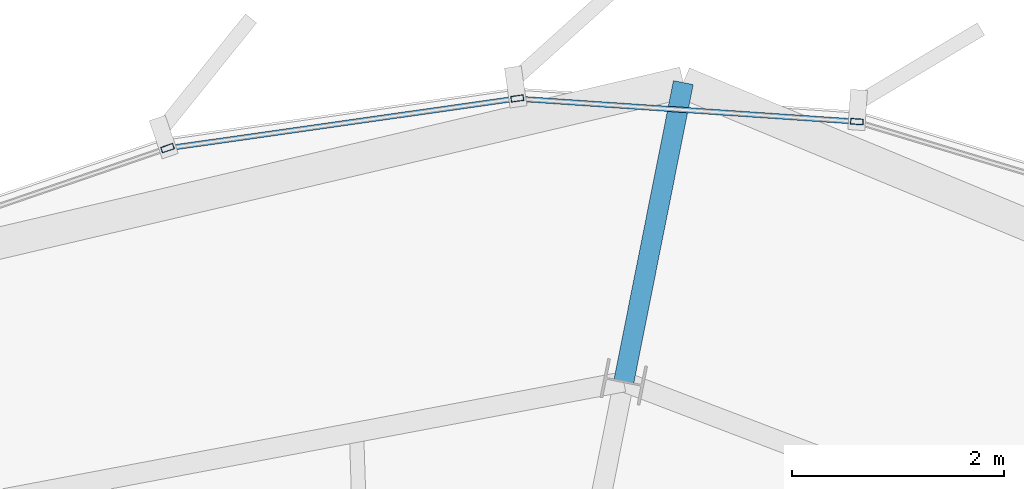
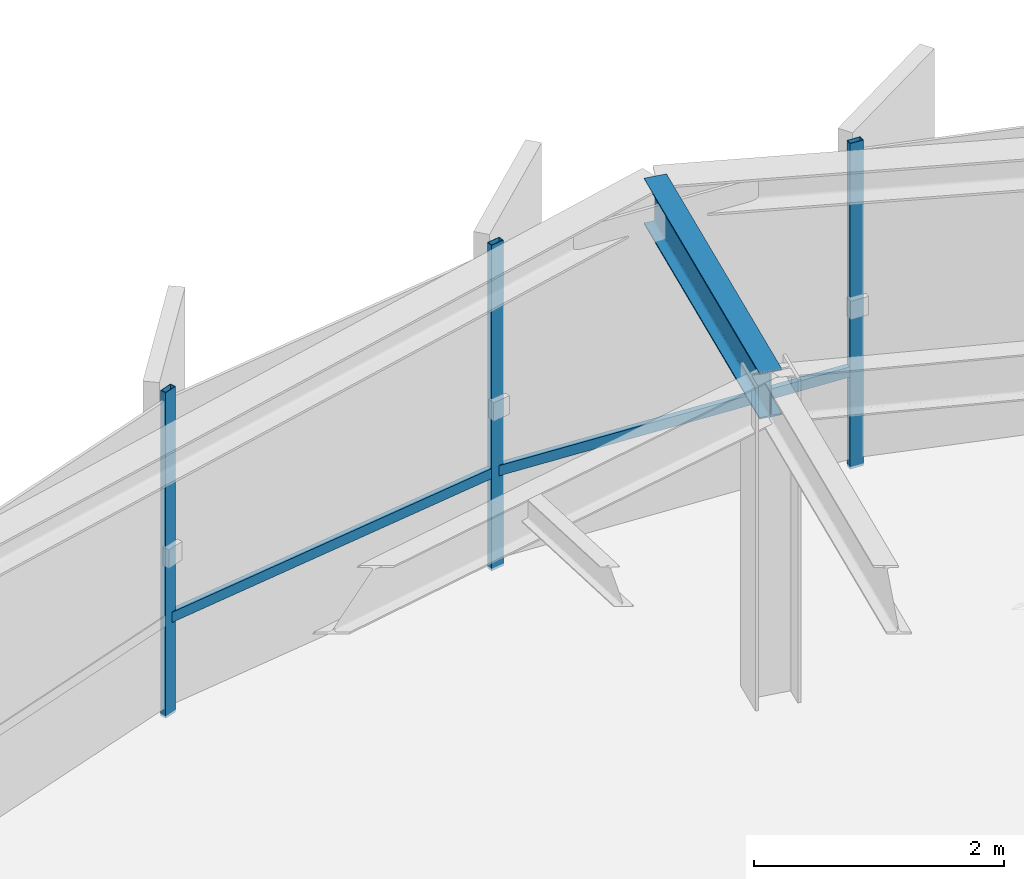
# One storey, part 21 of 31: 5 members, 1 beam, 1 element without a shape of its own.
"""IFC4 building model written with IfcOpenShell, lengths in metres."""

from ifc_helpers import new_model, si_unit, direction, frame, origin, origin_2d, place, context, subcontext, project, spatial, hollow_rectangle, i_section, extrude, source, transform, mapped, material, layer, layer_set, material_profile, profile_set, type_object, element, aggregate, save


model = new_model("IFC4")

# Units and contexts
model_context = context("Model", 3, precision=1e-05, world=origin(), true_north=direction((0.0, 1.0)))
body_context = subcontext(model_context, "Body", "Model", "MODEL_VIEW")
ifc_project = project(units=[si_unit("LENGTHUNIT", "METRE"), si_unit("AREAUNIT", "SQUARE_METRE"), si_unit("VOLUMEUNIT", "CUBIC_METRE"), si_unit("PLANEANGLEUNIT", "RADIAN"), si_unit("MASSUNIT", "GRAM", prefix="KILO"), si_unit("THERMODYNAMICTEMPERATUREUNIT", "KELVIN")], contexts=[model_context])

# Site, building, storey
site_placement = place(None, origin())
site = spatial("IfcSite", under=ifc_project, at=site_placement, CompositionType="ELEMENT")
building_placement = place(site_placement, origin())
building = spatial("IfcBuilding", under=site, at=building_placement, Name="Kethvar Cultural Tower", CompositionType="ELEMENT")
storey_placement = place(building_placement, frame((0.0, 0.0, 300.85009765625)))
storey = spatial("IfcBuildingStorey", under=building, at=storey_placement, Name="L80", CompositionType="ELEMENT", Elevation=300.85009765625)

# Beam
ifc_material_1 = material(Name="Steel S355J2", Category="steel")
ifc_material_profile_1 = material_profile(ifc_material_1, i_section(OverallWidth=0.18994140625, OverallDepth=0.449951171875, WebThickness=0.009521484375, FlangeThickness=0.0146484375, FilletRadius=0.02099609375, at=origin_2d()), Name="Steel S355J2 — IPE450")
ifc_profile_set_1 = profile_set([ifc_material_profile_1], Name="Steel S355J2 — IPE450")
beam_type = type_object("IfcBeamType", Name="BM-IPE450", PredefinedType="BEAM", material=ifc_profile_set_1)
shared_shape_1 = source(origin(), body_context, "Body", "SweptSolid", [
    extrude(i_section(OverallWidth=0.18994140625, OverallDepth=0.449951171875, WebThickness=0.009521484375, FlangeThickness=0.0146484375, FilletRadius=0.02099609375, at=origin_2d()), origin(), (0.0, 0.0, 1.0), 2.87646484375),
])
beam_placement = place(storey_placement, frame((50.645263671875, 47.131591796875, 2.9580078125), z_axis=(0.195120421767, 0.98077929271, 0.0), x_axis=(-0.98077929271, 0.195120421767, 0.0)))
element("IfcBeam", 1, at=beam_placement, inside=storey, type_object=beam_type, Name="L80 Perimeter Cantilever Beam RC-04", PredefinedType="BEAM", context=body_context, shape_type="MappedRepresentation", body=[
    mapped(shared_shape_1, transform((0.0, 0.0, 0.0), scale=1.0)),
])

# Curtain wall, members
ifc_material_2 = material(Name="Aluminium 6063-T6", Category="aluminium")
ifc_layer = layer(ifc_material_2, 0.179931640625, Name="Aluminium 6063-T6", Category="aluminium")
ifc_layer_set = layer_set([ifc_layer], Name="Aluminium 6063-T6 (180 mm)")
curtain_wall_type = type_object("IfcCurtainWallType", Name="CW-SYS-05-Z56", PredefinedType="NOTDEFINED", material=ifc_layer_set)
curtain_wall_placement = place(storey_placement, origin())
curtain_wall = element("IfcCurtainWall", 2, at=curtain_wall_placement, inside=storey, type_object=curtain_wall_type, Name="L80 Curtain Wall Run 01", PredefinedType="NOTDEFINED")
ifc_material_profile_2 = material_profile(ifc_material_2, hollow_rectangle(XDim=0.050048828125, YDim=0.10009765625, WallThickness=0.00390625, at=origin_2d()), Name="Aluminium 6063-T6 — RHS100x50x4")
ifc_profile_set_2 = profile_set([ifc_material_profile_2], Name="Aluminium 6063-T6 — RHS100x50x4")
member_type_1 = type_object("IfcMemberType", Name="CW-SYS-05-Z56-TRN", PredefinedType="USERDEFINED", material=ifc_profile_set_2)
shared_shape_2 = source(origin(), body_context, "Body", "SweptSolid", [
    extrude(hollow_rectangle(XDim=0.050048828125, YDim=0.10009765625, WallThickness=0.00390625, at=origin_2d()), origin(), (0.0, 0.0, 1.0), 3.270751953125),
])
member_1_placement = place(storey_placement, frame((49.602294921875, 49.797607421875, 0.949951171875), z_axis=(-0.989998698403, -0.141076494004, 0.0), x_axis=(0.141076494004, -0.989998698403, 0.0)))
member_1 = element("IfcMember", 3, at=member_1_placement, type_object=member_type_1, Name="CW-L80-R01 Transom 3", ObjectType="TRANSOM", PredefinedType="USERDEFINED", context=body_context, shape_type="MappedRepresentation", body=[
    mapped(shared_shape_2, transform((0.0, 0.0, 0.0), scale=1.0)),
])
ifc_material_profile_3 = material_profile(ifc_material_2, hollow_rectangle(XDim=0.054931640625, YDim=0.1201171875, WallThickness=0.00390625, at=origin_2d()), Name="Aluminium 6063-T6 — RHS120x55x4")
ifc_profile_set_3 = profile_set([ifc_material_profile_3], Name="Aluminium 6063-T6 — RHS120x55x4")
member_type_2 = type_object("IfcMemberType", Name="CW-SYS-05-Z56-MUL", PredefinedType="MULLION", material=ifc_profile_set_3)
shared_shape_3 = source(origin(), body_context, "Body", "SweptSolid", [
    extrude(hollow_rectangle(XDim=0.054931640625, YDim=0.1201171875, WallThickness=0.00390625, at=origin_2d()), origin(), (0.0, 0.0, 1.0), 3.184814453125),
])
member_2_placement = place(storey_placement, frame((52.843017578125, 49.584716796875, 0.0), z_axis=(0.0, 0.0, 1.0), x_axis=(-0.067371000132, -0.997727993163, 0.0)))
member_2 = element("IfcMember", 4, at=member_2_placement, type_object=member_type_2, Name="CW-L80-R01 Mullion 2", PredefinedType="MULLION", context=body_context, shape_type="MappedRepresentation", body=[
    mapped(shared_shape_3, transform((0.0, 0.0, 0.0), scale=1.0)),
])
member_3_placement = place(storey_placement, frame((49.641357421875, 49.80322265625, 0.0), z_axis=(0.0, 0.0, 1.0), x_axis=(0.141108578916, -0.989994125718, 0.0)))
member_3 = element("IfcMember", 5, at=member_3_placement, type_object=member_type_2, Name="CW-L80-R01 Mullion 3", PredefinedType="MULLION", context=body_context, shape_type="MappedRepresentation", body=[
    mapped(shared_shape_3, transform((0.0, 0.0, 0.0), scale=1.0)),
])
member_4_placement = place(storey_placement, frame((46.343505859375, 49.3349609375, 0.0), z_axis=(0.0, 0.0, 1.0), x_axis=(0.324627356004, -0.945841995121, 0.0)))
member_4 = element("IfcMember", 6, at=member_4_placement, type_object=member_type_2, Name="CW-L80-R01 Mullion 4", PredefinedType="MULLION", context=body_context, shape_type="MappedRepresentation", body=[
    mapped(shared_shape_3, transform((0.0, 0.0, 0.0), scale=1.0)),
])
shared_shape_4 = source(origin(), body_context, "Body", "SweptSolid", [
    extrude(hollow_rectangle(XDim=0.050048828125, YDim=0.10009765625, WallThickness=0.00390625, at=origin_2d()), origin(), (0.0, 0.0, 1.0), 3.150634765625),
])
member_5_placement = place(storey_placement, frame((52.8037109375, 49.58740234375, 0.949951171875), z_axis=(-0.997725098286, 0.067413857992, 0.0), x_axis=(-0.067413857992, -0.997725098286, 0.0)))
member_5 = element("IfcMember", 7, at=member_5_placement, type_object=member_type_1, Name="CW-L80-R01 Transom 2", ObjectType="TRANSOM", PredefinedType="USERDEFINED", context=body_context, shape_type="MappedRepresentation", body=[
    mapped(shared_shape_4, transform((0.0, 0.0, 0.0), scale=1.0)),
])
aggregate(curtain_wall, [member_2, member_3, member_4, member_5, member_1])

save(model, "model.ifc")
